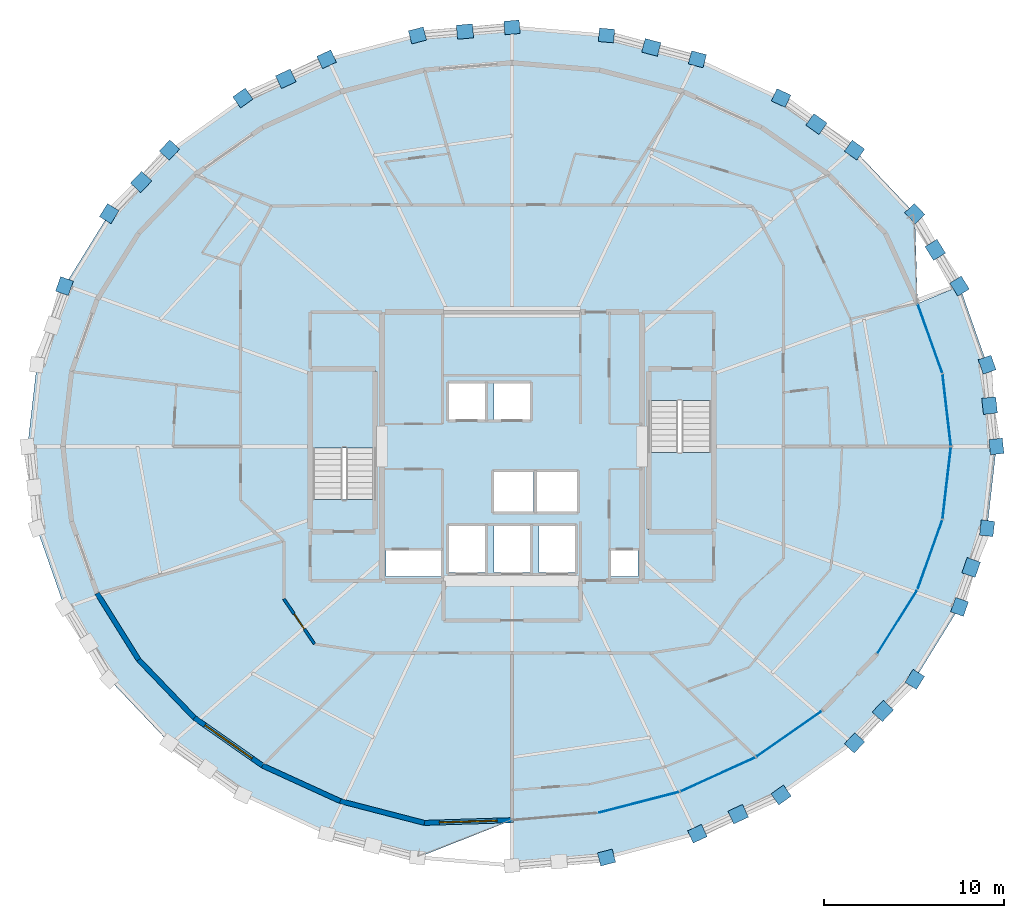
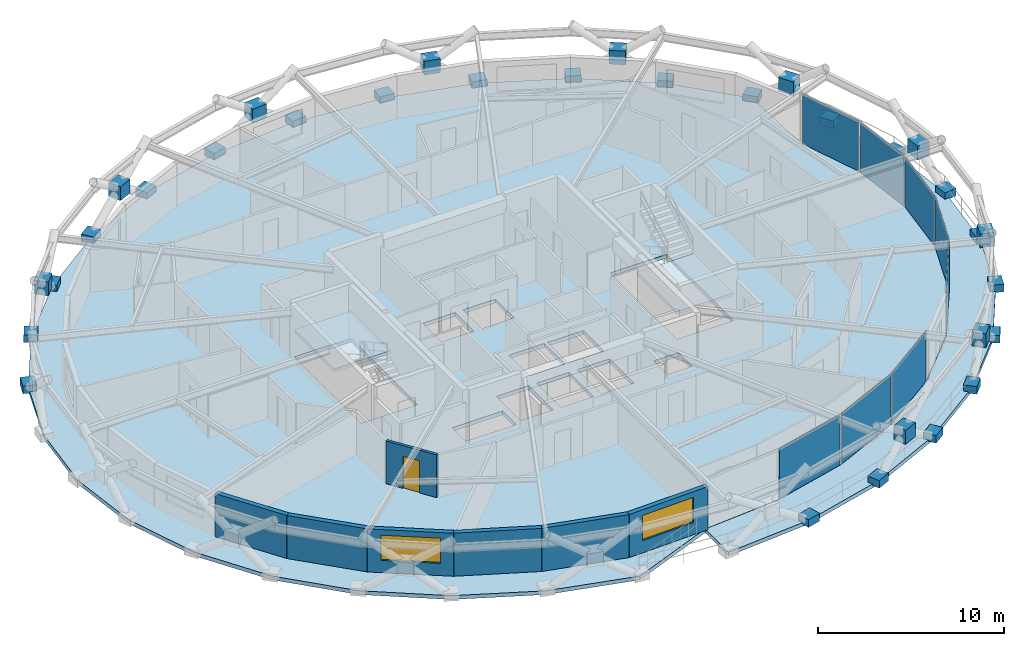
# One storey, part 11 of 16: 40 plates, 7 walls, 4 slabs, 2 windows, 1 door, 3 openings, 4 elements without a shape of their own.
"""IFC4 building model written with IfcOpenShell, lengths in metres."""

from ifc_helpers import new_model, si_unit, direction, frame, frame_2d, origin, origin_2d, place, context, subcontext, project, spatial, polyline, rectangle, outline, extrude, material, layer, layer_set, type_object, element, fill, aggregate, save


model = new_model("IFC4")

# Units and contexts
model_context = context("Model", 3, precision=1e-05, world=origin(), true_north=direction((0.0, 1.0)))
body_context = subcontext(model_context, "Body", "Model", "MODEL_VIEW")
ifc_project = project(units=[si_unit("LENGTHUNIT", "METRE"), si_unit("AREAUNIT", "SQUARE_METRE"), si_unit("VOLUMEUNIT", "CUBIC_METRE"), si_unit("PLANEANGLEUNIT", "RADIAN"), si_unit("MASSUNIT", "GRAM", prefix="KILO")], contexts=[model_context])

# Site, building, storey
site_placement = place(None, origin())
site = spatial("IfcSite", under=ifc_project, at=site_placement, CompositionType="ELEMENT")
building_placement = place(site_placement, origin())
building = spatial("IfcBuilding", under=site, at=building_placement, Name="Veldorina Hangang Commons", CompositionType="ELEMENT")
storey_placement = place(building_placement, frame((0.0, 0.0, 192.800048828125)))
storey = spatial("IfcBuildingStorey", under=building, at=storey_placement, Name="L50", CompositionType="ELEMENT", Elevation=192.800048828125)

# Curtain wall, plates
ifc_material_1 = material(Name="Glass Low-E Triple IGU", Category="glass")
ifc_layer_1 = layer(ifc_material_1, 0.179931640625)
ifc_layer_set_1 = layer_set([ifc_layer_1], Name="Glass Low-E Triple IGU")
curtain_wall_type = type_object("IfcCurtainWallType", Name="CW-SYS-Z2", PredefinedType="NOTDEFINED", material=ifc_layer_set_1)
curtain_wall_1_placement = place(storey_placement, origin())
curtain_wall_1 = element("IfcCurtainWall", 1, at=curtain_wall_1_placement, inside=storey, type_object=curtain_wall_type, Name="L50 unitised curtain wall CW-L50-R1", PredefinedType="NOTDEFINED")
ifc_layer_2 = layer(ifc_material_1, 0.0400390625)
ifc_layer_set_2 = layer_set([ifc_layer_2], Name="Glass Low-E Triple IGU")
plate_type_1 = type_object("IfcPlateType", Name="CW-PNL-VIS", PredefinedType="CURTAIN_PANEL", material=ifc_layer_set_2)
plate_1_placement = place(storey_placement, frame((39.031494140625, 4.268310546875, 0.01513671875), z_axis=(0.0, 0.0, 1.0), x_axis=(0.968239344412, 0.250025142601, 0.0)))
plate_1 = element("IfcPlate", 2, at=plate_1_placement, type_object=plate_type_1, Name="CW-L50-R1 facet 2 glazed vision panel", PredefinedType="CURTAIN_PANEL", context=body_context, shape_type="SweptSolid", body=[
    extrude(rectangle(XDim=4.535888671875, YDim=0.0400390625, at=origin_2d()), origin(), (0.0, 0.0, 1.0), 3.280029296875),
])
plate_2_placement = place(storey_placement, frame((43.41845703125, 5.815185546875, 0.01513671875), z_axis=(0.0, 0.0, 1.0), x_axis=(0.910214422768, 0.41413730161, 0.0)))
plate_2 = element("IfcPlate", 3, at=plate_2_placement, type_object=plate_type_1, Name="CW-L50-R1 facet 3 glazed vision panel", PredefinedType="CURTAIN_PANEL", context=body_context, shape_type="SweptSolid", body=[
    extrude(rectangle(XDim=4.443115234375, YDim=0.0400390625, at=origin_2d()), origin(), (0.0, 0.0, 1.0), 3.280029296875),
])
plate_3_placement = place(storey_placement, frame((47.36669921875, 8.060791015625, 0.01513671875), z_axis=(0.0, 0.0, 1.0), x_axis=(0.819762238564, 0.572704000532, 0.0)))
plate_3 = element("IfcPlate", 4, at=plate_3_placement, type_object=plate_type_1, Name="CW-L50-R1 facet 4 glazed vision panel", PredefinedType="CURTAIN_PANEL", context=body_context, shape_type="SweptSolid", body=[
    extrude(rectangle(XDim=4.3193359375, YDim=0.0400390625, at=origin_2d()), origin(), (0.0, 0.0, 1.0), 3.280029296875),
])
aggregate(curtain_wall_1, [plate_1, plate_2, plate_3])

curtain_wall_2_placement = place(storey_placement, origin())
curtain_wall_2 = element("IfcCurtainWall", 5, at=curtain_wall_2_placement, inside=storey, type_object=curtain_wall_type, Name="L50 unitised curtain wall CW-L50-R2", PredefinedType="NOTDEFINED")
plate_4_placement = place(storey_placement, frame((53.362548828125, 14.27978515625, 0.01513671875), z_axis=(0.0, 0.0, 1.0), x_axis=(0.531768155588, 0.846889974378, 0.0)))
plate_4 = element("IfcPlate", 6, at=plate_4_placement, type_object=plate_type_1, Name="CW-L50-R2 facet 1 glazed vision panel", PredefinedType="CURTAIN_PANEL", context=body_context, shape_type="SweptSolid", body=[
    extrude(rectangle(XDim=4.0498046875, YDim=0.0400390625, at=origin_2d()), origin(), (0.0, 0.0, 1.0), 3.280029296875),
])
plate_5_placement = place(storey_placement, frame((55.1796875, 18.014404296875, 0.01513671875), z_axis=(0.0, 0.0, 1.0), x_axis=(0.335681747794, 0.941975458384, 0.0)))
plate_5 = element("IfcPlate", 7, at=plate_5_placement, type_object=plate_type_1, Name="CW-L50-R2 facet 2 glazed vision panel", PredefinedType="CURTAIN_PANEL", context=body_context, shape_type="SweptSolid", body=[
    extrude(rectangle(XDim=3.9462890625, YDim=0.0400390625, at=origin_2d()), origin(), (0.0, 0.0, 1.0), 3.280029296875),
])
plate_6_placement = place(storey_placement, frame((56.106201171875, 21.97900390625, 0.01513671875), z_axis=(0.0, 0.0, 1.0), x_axis=(0.114937150493, 0.9933727656, 0.0)))
plate_6 = element("IfcPlate", 8, at=plate_6_placement, type_object=plate_type_1, Name="CW-L50-R2 facet 3 glazed vision panel", PredefinedType="CURTAIN_PANEL", context=body_context, shape_type="SweptSolid", body=[
    extrude(rectangle(XDim=3.88916015625, YDim=0.0400390625, at=origin_2d()), origin(), (0.0, 0.0, 1.0), 3.280029296875),
])
plate_7_placement = place(storey_placement, frame((56.106201171875, 26.02099609375, 0.01513671875), z_axis=(0.0, 0.0, 1.0), x_axis=(-0.114937150493, 0.9933727656, 0.0)))
plate_7 = element("IfcPlate", 9, at=plate_7_placement, type_object=plate_type_1, Name="CW-L50-R2 facet 4 glazed vision panel", PredefinedType="CURTAIN_PANEL", context=body_context, shape_type="SweptSolid", body=[
    extrude(rectangle(XDim=3.88916015625, YDim=0.0400390625, at=origin_2d()), origin(), (0.0, 0.0, 1.0), 3.280029296875),
])
plate_8_placement = place(storey_placement, frame((55.1796875, 29.985595703125, 0.01513671875), z_axis=(0.0, 0.0, 1.0), x_axis=(-0.335681747794, 0.941975458384, 0.0)))
plate_8 = element("IfcPlate", 10, at=plate_8_placement, type_object=plate_type_1, Name="CW-L50-R2 facet 5 glazed vision panel", PredefinedType="CURTAIN_PANEL", context=body_context, shape_type="SweptSolid", body=[
    extrude(rectangle(XDim=3.9462890625, YDim=0.0400390625, at=origin_2d()), origin(), (0.0, 0.0, 1.0), 3.280029296875),
])
aggregate(curtain_wall_2, [plate_4, plate_5, plate_6, plate_7, plate_8])

# Plates
ifc_material_2 = material(Name="Steel SM460-TMC", Category="steel")
ifc_layer_3 = layer(ifc_material_2, 0.035888671875)
ifc_layer_set_3 = layer_set([ifc_layer_3], Name="Steel SM460-TMC")
plate_type_2 = type_object("IfcPlateType", Name="PL-STAR-36", PredefinedType="USERDEFINED", material=ifc_layer_set_3)
plate_9_placement = place(storey_placement, frame((58.860107421875, 24.0, -0.090087890625), z_axis=(0.0, 0.0, 1.0), x_axis=(-0.113099166546, 0.993583704842, 0.0)))
element("IfcPlate", 11, at=plate_9_placement, inside=storey, type_object=plate_type_2, Name="L50 diagrid star-node gusset plate 00", ObjectType="GUSSET PLATE", PredefinedType="USERDEFINED", context=body_context, shape_type="SweptSolid", body=[
    extrude(rectangle(XDim=0.85009765625, YDim=0.75, at=origin_2d()), origin(), (0.0, 0.0, 1.0), 0.5),
])
plate_10_placement = place(storey_placement, frame((58.480224609375, 26.266357421875, 1.3505859375), z_axis=(0.0, 0.0, 1.0), x_axis=(-0.113099166546, 0.993583704842, 0.0)))
element("IfcPlate", 12, at=plate_10_placement, inside=storey, type_object=plate_type_2, Name="L50 diagrid X-crossing star-node gusset plate 00", ObjectType="GUSSET PLATE", PredefinedType="USERDEFINED", context=body_context, shape_type="SweptSolid", body=[
    extrude(rectangle(XDim=0.89990234375, YDim=0.780029296875, at=origin_2d()), origin(), (0.0, 0.0, 1.0), 0.89990234375),
])
for number, where, z_axis, x_axis, name in (
    (13, (58.343994140625, 28.53369140625, -0.090087890625), (0.0, 0.0, 1.0), (-0.330860291621, 0.943679748341, 0.0), "L50 diagrid star-node gusset plate 01"),
    (14, (56.8154296875, 32.893310546875, -0.090087890625), (0.0, 0.0, 1.0), (-0.525575593337, 0.850746904601, 0.0), "L50 diagrid star-node gusset plate 02"),
):
    element("IfcPlate", number, at=place(storey_placement, frame(where, z_axis=z_axis, x_axis=x_axis)), inside=storey, type_object=plate_type_2, Name=name, ObjectType="GUSSET PLATE", PredefinedType="USERDEFINED", context=body_context, shape_type="SweptSolid", body=[
        extrude(rectangle(XDim=0.85009765625, YDim=0.75, at=origin_2d()), origin(), (0.0, 0.0, 1.0), 0.5),
    ])
plate_11_placement = place(storey_placement, frame((55.46923828125, 34.90185546875, 1.3525390625), z_axis=(0.0, 0.0, 1.0), x_axis=(-0.525575593337, 0.850746904601, 0.0)))
element("IfcPlate", 15, at=plate_11_placement, inside=storey, type_object=plate_type_2, Name="L50 diagrid X-crossing star-node gusset plate 02", ObjectType="GUSSET PLATE", PredefinedType="USERDEFINED", context=body_context, shape_type="SweptSolid", body=[
    extrude(rectangle(XDim=0.89990234375, YDim=0.780029296875, at=origin_2d()), origin(), (0.0, 0.0, 1.0), 0.89990234375),
])
for number, where, z_axis, x_axis, name in (
    (16, (54.333251953125, 36.9111328125, -0.090087890625), (0.0, 0.0, 1.0), (-0.688189975753, 0.725530535039, 0.0), "L50 diagrid star-node gusset plate 03"),
    (17, (50.992919921875, 40.4326171875, -0.090087890625), (0.0, 0.0, 1.0), (-0.815360268413, 0.578953912409, 0.0), "L50 diagrid star-node gusset plate 04"),
):
    element("IfcPlate", number, at=place(storey_placement, frame(where, z_axis=z_axis, x_axis=x_axis)), inside=storey, type_object=plate_type_2, Name=name, ObjectType="GUSSET PLATE", PredefinedType="USERDEFINED", context=body_context, shape_type="SweptSolid", body=[
        extrude(rectangle(XDim=0.85009765625, YDim=0.75, at=origin_2d()), origin(), (0.0, 0.0, 1.0), 0.5),
    ])
plate_12_placement = place(storey_placement, frame((48.882080078125, 41.877197265625, 1.355712890625), z_axis=(0.0, 0.0, 1.0), x_axis=(-0.815360268413, 0.578953912409, 0.0)))
element("IfcPlate", 18, at=plate_12_placement, inside=storey, type_object=plate_type_2, Name="L50 diagrid X-crossing star-node gusset plate 04", ObjectType="GUSSET PLATE", PredefinedType="USERDEFINED", context=body_context, shape_type="SweptSolid", body=[
    extrude(rectangle(XDim=0.89990234375, YDim=0.780029296875, at=origin_2d()), origin(), (0.0, 0.0, 1.0), 0.89990234375),
])
for number, where, z_axis, x_axis, name in (
    (19, (46.922607421875, 43.322998046875, -0.090087890625), (0.0, 0.0, 1.0), (-0.90764565898, 0.419737248448, 0.0), "L50 diagrid star-node gusset plate 05"),
    (20, (42.27880859375, 45.470458984375, -0.090087890625), (0.0, 0.0, 1.0), (-0.967241174002, 0.253859235235, 0.0), "L50 diagrid star-node gusset plate 06"),
):
    element("IfcPlate", number, at=place(storey_placement, frame(where, z_axis=z_axis, x_axis=x_axis)), inside=storey, type_object=plate_type_2, Name=name, ObjectType="GUSSET PLATE", PredefinedType="USERDEFINED", context=body_context, shape_type="SweptSolid", body=[
        extrude(rectangle(XDim=0.85009765625, YDim=0.75, at=origin_2d()), origin(), (0.0, 0.0, 1.0), 0.5),
    ])
plate_13_placement = place(storey_placement, frame((39.72412109375, 46.128662109375, 1.35791015625), z_axis=(0.0, 0.0, 1.0), x_axis=(-0.967241174002, 0.253859235235, 0.0)))
element("IfcPlate", 21, at=plate_13_placement, inside=storey, type_object=plate_type_2, Name="L50 diagrid X-crossing star-node gusset plate 06", ObjectType="GUSSET PLATE", PredefinedType="USERDEFINED", context=body_context, shape_type="SweptSolid", body=[
    extrude(rectangle(XDim=0.89990234375, YDim=0.780029296875, at=origin_2d()), origin(), (0.0, 0.0, 1.0), 0.89990234375),
])
for number, where, z_axis, x_axis, name in (
    (22, (37.239990234375, 46.79296875, -0.090087890625), (0.0, 0.0, 1.0), (-0.996389883808, 0.084895226275, 0.0), "L50 diagrid star-node gusset plate 07"),
    (23, (32.0, 47.239501953125, -0.090087890625), (0.0, 0.0, 1.0), (-0.996389883808, -0.084895226275, 0.0), "L50 diagrid star-node gusset plate 08"),
):
    element("IfcPlate", number, at=place(storey_placement, frame(where, z_axis=z_axis, x_axis=x_axis)), inside=storey, type_object=plate_type_2, Name=name, ObjectType="GUSSET PLATE", PredefinedType="USERDEFINED", context=body_context, shape_type="SweptSolid", body=[
        extrude(rectangle(XDim=0.85009765625, YDim=0.75, at=origin_2d()), origin(), (0.0, 0.0, 1.0), 0.5),
    ])
plate_14_placement = place(storey_placement, frame((29.39208984375, 47.009033203125, 1.3583984375), z_axis=(0.0, 0.0, 1.0), x_axis=(-0.996389883808, -0.084895226275, 0.0)))
element("IfcPlate", 24, at=plate_14_placement, inside=storey, type_object=plate_type_2, Name="L50 diagrid X-crossing star-node gusset plate 08", ObjectType="GUSSET PLATE", PredefinedType="USERDEFINED", context=body_context, shape_type="SweptSolid", body=[
    extrude(rectangle(XDim=0.89990234375, YDim=0.780029296875, at=origin_2d()), origin(), (0.0, 0.0, 1.0), 0.89990234375),
])
for number, where, z_axis, x_axis, name in (
    (25, (26.760009765625, 46.79296875, -0.090087890625), (0.0, 0.0, 1.0), (-0.967241174002, -0.253859235235, 0.0), "L50 diagrid star-node gusset plate 09"),
    (26, (21.72119140625, 45.470458984375, -0.090087890625), (0.0, 0.0, 1.0), (-0.90764565898, -0.419737248448, 0.0), "L50 diagrid star-node gusset plate 10"),
):
    element("IfcPlate", number, at=place(storey_placement, frame(where, z_axis=z_axis, x_axis=x_axis)), inside=storey, type_object=plate_type_2, Name=name, ObjectType="GUSSET PLATE", PredefinedType="USERDEFINED", context=body_context, shape_type="SweptSolid", body=[
        extrude(rectangle(XDim=0.85009765625, YDim=0.75, at=origin_2d()), origin(), (0.0, 0.0, 1.0), 0.5),
    ])
plate_15_placement = place(storey_placement, frame((19.45947265625, 44.387451171875, 1.35693359375), z_axis=(0.0, 0.0, 1.0), x_axis=(-0.90764565898, -0.419737248448, 0.0)))
element("IfcPlate", 27, at=plate_15_placement, inside=storey, type_object=plate_type_2, Name="L50 diagrid X-crossing star-node gusset plate 10", ObjectType="GUSSET PLATE", PredefinedType="USERDEFINED", context=body_context, shape_type="SweptSolid", body=[
    extrude(rectangle(XDim=0.89990234375, YDim=0.780029296875, at=origin_2d()), origin(), (0.0, 0.0, 1.0), 0.89990234375),
])
for number, where, z_axis, x_axis, name in (
    (28, (17.077392578125, 43.322998046875, -0.090087890625), (0.0, 0.0, 1.0), (-0.815360268413, -0.578953912409, 0.0), "L50 diagrid star-node gusset plate 11"),
    (29, (13.007080078125, 40.4326171875, -0.090087890625), (0.0, 0.0, 1.0), (-0.688189975753, -0.725530535039, 0.0), "L50 diagrid star-node gusset plate 12"),
):
    element("IfcPlate", number, at=place(storey_placement, frame(where, z_axis=z_axis, x_axis=x_axis)), inside=storey, type_object=plate_type_2, Name=name, ObjectType="GUSSET PLATE", PredefinedType="USERDEFINED", context=body_context, shape_type="SweptSolid", body=[
        extrude(rectangle(XDim=0.85009765625, YDim=0.75, at=origin_2d()), origin(), (0.0, 0.0, 1.0), 0.5),
    ])
plate_16_placement = place(storey_placement, frame((11.436279296875, 38.664306640625, 1.354248046875), z_axis=(0.0, 0.0, 1.0), x_axis=(-0.688189975753, -0.725530535039, 0.0)))
element("IfcPlate", 30, at=plate_16_placement, inside=storey, type_object=plate_type_2, Name="L50 diagrid X-crossing star-node gusset plate 12", ObjectType="GUSSET PLATE", PredefinedType="USERDEFINED", context=body_context, shape_type="SweptSolid", body=[
    extrude(rectangle(XDim=0.89990234375, YDim=0.780029296875, at=origin_2d()), origin(), (0.0, 0.0, 1.0), 0.89990234375),
])
for number, where, z_axis, x_axis, name in (
    (31, (9.666748046875, 36.9111328125, -0.090087890625), (0.0, 0.0, 1.0), (-0.525575593337, -0.850746904601, 0.0), "L50 diagrid star-node gusset plate 13"),
    (32, (7.1845703125, 32.893310546875, -0.090087890625), (0.0, 0.0, 1.0), (-0.330860291621, -0.943679748341, 0.0), "L50 diagrid star-node gusset plate 14"),
    (33, (37.239990234375, 1.20703125, -0.090087890625), (0.0, 0.0, 1.0), (0.967241174002, 0.253859235235, 0.0), "L50 diagrid star-node gusset plate 25"),
    (34, (42.27880859375, 2.529541015625, -0.090087890625), (0.0, 0.0, 1.0), (0.90764565898, 0.419737248448, 0.0), "L50 diagrid star-node gusset plate 26"),
):
    element("IfcPlate", number, at=place(storey_placement, frame(where, z_axis=z_axis, x_axis=x_axis)), inside=storey, type_object=plate_type_2, Name=name, ObjectType="GUSSET PLATE", PredefinedType="USERDEFINED", context=body_context, shape_type="SweptSolid", body=[
        extrude(rectangle(XDim=0.85009765625, YDim=0.75, at=origin_2d()), origin(), (0.0, 0.0, 1.0), 0.5),
    ])
plate_17_placement = place(storey_placement, frame((44.54052734375, 3.612548828125, 1.35693359375), z_axis=(0.0, 0.0, 1.0), x_axis=(0.90764565898, 0.419737248448, 0.0)))
element("IfcPlate", 35, at=plate_17_placement, inside=storey, type_object=plate_type_2, Name="L50 diagrid X-crossing star-node gusset plate 26", ObjectType="GUSSET PLATE", PredefinedType="USERDEFINED", context=body_context, shape_type="SweptSolid", body=[
    extrude(rectangle(XDim=0.89990234375, YDim=0.780029296875, at=origin_2d()), origin(), (0.0, 0.0, 1.0), 0.89990234375),
])
for number, where, z_axis, x_axis, name in (
    (36, (46.922607421875, 4.677001953125, -0.090087890625), (0.0, 0.0, 1.0), (0.815360268413, 0.578953912409, 0.0), "L50 diagrid star-node gusset plate 27"),
    (37, (50.992919921875, 7.5673828125, -0.090087890625), (0.0, 0.0, 1.0), (0.688189975753, 0.725530535039, 0.0), "L50 diagrid star-node gusset plate 28"),
):
    element("IfcPlate", number, at=place(storey_placement, frame(where, z_axis=z_axis, x_axis=x_axis)), inside=storey, type_object=plate_type_2, Name=name, ObjectType="GUSSET PLATE", PredefinedType="USERDEFINED", context=body_context, shape_type="SweptSolid", body=[
        extrude(rectangle(XDim=0.85009765625, YDim=0.75, at=origin_2d()), origin(), (0.0, 0.0, 1.0), 0.5),
    ])
plate_18_placement = place(storey_placement, frame((52.563720703125, 9.335693359375, 1.354248046875), z_axis=(0.0, 0.0, 1.0), x_axis=(0.688189975753, 0.725530535039, 0.0)))
element("IfcPlate", 38, at=plate_18_placement, inside=storey, type_object=plate_type_2, Name="L50 diagrid X-crossing star-node gusset plate 28", ObjectType="GUSSET PLATE", PredefinedType="USERDEFINED", context=body_context, shape_type="SweptSolid", body=[
    extrude(rectangle(XDim=0.89990234375, YDim=0.780029296875, at=origin_2d()), origin(), (0.0, 0.0, 1.0), 0.89990234375),
])
for number, where, z_axis, x_axis, name in (
    (39, (54.333251953125, 11.0888671875, -0.090087890625), (0.0, 0.0, 1.0), (0.525575593337, 0.850746904601, 0.0), "L50 diagrid star-node gusset plate 29"),
    (40, (56.8154296875, 15.106689453125, -0.090087890625), (0.0, 0.0, 1.0), (0.330860291621, 0.943679748341, 0.0), "L50 diagrid star-node gusset plate 30"),
):
    element("IfcPlate", number, at=place(storey_placement, frame(where, z_axis=z_axis, x_axis=x_axis)), inside=storey, type_object=plate_type_2, Name=name, ObjectType="GUSSET PLATE", PredefinedType="USERDEFINED", context=body_context, shape_type="SweptSolid", body=[
        extrude(rectangle(XDim=0.85009765625, YDim=0.75, at=origin_2d()), origin(), (0.0, 0.0, 1.0), 0.5),
    ])
plate_19_placement = place(storey_placement, frame((57.45849609375, 17.289306640625, 1.351318359375), z_axis=(0.0, 0.0, 1.0), x_axis=(0.330860291621, 0.943679748341, 0.0)))
element("IfcPlate", 41, at=plate_19_placement, inside=storey, type_object=plate_type_2, Name="L50 diagrid X-crossing star-node gusset plate 30", ObjectType="GUSSET PLATE", PredefinedType="USERDEFINED", context=body_context, shape_type="SweptSolid", body=[
    extrude(rectangle(XDim=0.89990234375, YDim=0.780029296875, at=origin_2d()), origin(), (0.0, 0.0, 1.0), 0.89990234375),
])
plate_20_placement = place(storey_placement, frame((58.343994140625, 19.46630859375, -0.090087890625), z_axis=(0.0, 0.0, 1.0), x_axis=(0.113099166546, 0.993583704842, 0.0)))
element("IfcPlate", 42, at=plate_20_placement, inside=storey, type_object=plate_type_2, Name="L50 diagrid star-node gusset plate 31", ObjectType="GUSSET PLATE", PredefinedType="USERDEFINED", context=body_context, shape_type="SweptSolid", body=[
    extrude(rectangle(XDim=0.85009765625, YDim=0.75, at=origin_2d()), origin(), (0.0, 0.0, 1.0), 0.5),
])

# Slabs
ifc_material_3 = material(Name="Concrete C40/50", Category="concrete")
ifc_layer_4 = layer(ifc_material_3, 0.25)
ifc_layer_set_4 = layer_set([ifc_layer_4], Name="Concrete C40/50")
slab_type_1 = type_object("IfcSlabType", Name="SL-FLR-250", PredefinedType="FLOOR", material=ifc_layer_set_4)
slab_1_placement = place(storey_placement, frame((0.0, 0.0, -0.25)))
element("IfcSlab", 43, at=slab_1_placement, inside=storey, type_object=slab_type_1, Name="L50 tower structural floor slab", PredefinedType="FLOOR", context=body_context, shape_type="SweptSolid", body=[
    extrude(outline(polyline([(56.340087890625, 24.0), (55.872314453125, 28.042236328125), (54.4873046875, 31.928955078125), (54.333251953125, 36.9111328125), (50.992919921875, 40.4326171875), (46.922607421875, 43.322998046875), (42.27880859375, 45.470458984375), (37.239990234375, 46.79296875), (32.0, 47.239501953125), (26.760009765625, 46.79296875), (21.72119140625, 45.470458984375), (17.077392578125, 43.322998046875), (13.007080078125, 40.4326171875), (9.666748046875, 36.9111328125), (7.1845703125, 32.893310546875), (5.656005859375, 28.53369140625), (5.139892578125, 24.0), (5.656005859375, 19.46630859375), (7.1845703125, 15.106689453125), (9.666748046875, 11.0888671875), (13.007080078125, 7.5673828125), (17.077392578125, 4.677001953125), (21.72119140625, 2.529541015625), (26.760009765625, 1.20703125), (32.0, 3.280517578125), (36.74853515625, 3.6787109375), (41.314453125, 4.85791015625), (45.522705078125, 6.7724609375), (49.2109375, 9.34912109375), (52.238037109375, 12.489013671875), (54.4873046875, 16.071044921875), (55.872314453125, 19.957763671875), (56.340087890625, 24.0)]), holes=[polyline([(20.949951171875, 21.05810546875), (20.949951171875, 28.199951171875), (24.449951171875, 28.199951171875), (24.449951171875, 21.05810546875), (20.949951171875, 21.05810546875)]), polyline([(43.050048828125, 26.5419921875), (43.050048828125, 19.39990234375), (39.550048828125, 19.39990234375), (39.550048828125, 26.5419921875), (43.050048828125, 26.5419921875)]), polyline([(28.5, 27.5), (30.5, 27.5), (30.5, 25.5), (28.5, 25.5), (28.5, 27.5)]), polyline([(31.0, 27.5), (33.0, 27.5), (33.0, 25.5), (31.0, 25.5), (31.0, 27.5)]), polyline([(31.0, 22.60009765625), (33.199951171875, 22.60009765625), (33.199951171875, 20.39990234375), (31.0, 20.39990234375), (31.0, 22.60009765625)]), polyline([(33.39990234375, 22.60009765625), (35.60009765625, 22.60009765625), (35.60009765625, 20.39990234375), (33.39990234375, 20.39990234375), (33.39990234375, 22.60009765625)]), polyline([(28.5, 19.60009765625), (30.5, 19.60009765625), (30.5, 17.0), (28.5, 17.0), (28.5, 19.60009765625)]), polyline([(31.0, 19.60009765625), (33.0, 19.60009765625), (33.0, 17.0), (31.0, 17.0), (31.0, 19.60009765625)]), polyline([(33.5, 19.60009765625), (35.5, 19.60009765625), (35.5, 17.0), (33.5, 17.0), (33.5, 19.60009765625)]), polyline([(25.0, 18.25), (28.10009765625, 18.25), (28.10009765625, 16.800048828125), (25.0, 16.800048828125), (25.0, 18.25)]), polyline([(37.449951171875, 18.25), (39.0, 18.25), (39.0, 16.800048828125), (37.449951171875, 16.800048828125), (37.449951171875, 18.25)])]), origin(), (0.0, 0.0, 1.0), 0.25),
])
slab_2_placement = place(storey_placement, frame((0.0, 0.0, -0.25)))
element("IfcSlab", 44, at=slab_2_placement, inside=storey, type_object=slab_type_1, Name="L50 sky-garden loggia outdoor slab", PredefinedType="FLOOR", context=body_context, shape_type="SweptSolid", body=[
    extrude(outline(polyline([(56.8154296875, 32.893310546875), (58.343994140625, 28.53369140625), (58.860107421875, 24.0), (58.343994140625, 19.46630859375), (56.8154296875, 15.106689453125), (54.333251953125, 11.0888671875), (50.992919921875, 7.5673828125), (46.922607421875, 4.677001953125), (42.27880859375, 2.529541015625), (37.239990234375, 1.20703125), (32.0, 0.760498046875), (32.0, 3.264404296875), (32.00341796875, 3.265869140625), (36.749755859375, 3.663818359375), (36.7509765625, 3.663818359375), (36.752197265625, 3.664306640625), (41.318359375, 4.84326171875), (41.319580078125, 4.84375), (41.32080078125, 4.843994140625), (45.52880859375, 6.7587890625), (45.530029296875, 6.759521484375), (45.53125, 6.760009765625), (49.219482421875, 9.3369140625), (49.220703125, 9.337890625), (49.2216796875, 9.3388671875), (52.248779296875, 12.478515625), (52.249755859375, 12.479736328125), (52.250732421875, 12.48095703125), (54.5, 16.06298828125), (54.500732421875, 16.064453125), (54.501220703125, 16.06591796875), (55.886474609375, 19.952880859375), (55.886962890625, 19.954345703125), (55.88720703125, 19.9560546875), (56.35498046875, 23.998291015625), (56.35498046875, 24.0), (56.35498046875, 24.001708984375), (55.88720703125, 28.0439453125), (55.886962890625, 28.045654296875), (55.886474609375, 28.047119140625), (54.502197265625, 31.931884765625), (54.501953125, 31.93505859375), (56.8154296875, 32.893310546875)])), origin(), (0.0, 0.0, 1.0), 0.25),
])

# Stair, slab
stair_type = type_object("IfcStairType", Name="STR-DOG-1650-20R", PredefinedType="HALF_TURN_STAIR", material=ifc_material_3)
stair_1_placement = place(storey_placement, origin())
stair_1 = element("IfcStair", 45, at=stair_1_placement, inside=storey, type_object=stair_type, Name="L50 Exit stair ST-1", PredefinedType="HALF_TURN_STAIR")
ifc_layer_5 = layer(ifc_material_3, 0.199951171875)
ifc_layer_set_5 = layer_set([ifc_layer_5], Name="Concrete C40/50")
slab_type_2 = type_object("IfcSlabType", Name="SL-LND-200", PredefinedType="LANDING", material=ifc_layer_set_5)
slab_3_placement = place(storey_placement, frame((0.0, 0.0, 1.599853515625)))
slab_3 = element("IfcSlab", 46, at=slab_3_placement, type_object=slab_type_2, Name="ST-1 landing 1", PredefinedType="LANDING", context=body_context, shape_type="SweptSolid", body=[
    extrude(outline(polyline([(24.449951171875, 23.929931640625), (24.449951171875, 28.199951171875), (20.949951171875, 28.199951171875), (20.949951171875, 23.929931640625), (24.449951171875, 23.929931640625)])), origin(), (0.0, 0.0, 1.0), 0.2001953125),
])
aggregate(stair_1, [slab_3])

stair_2_placement = place(storey_placement, origin())
stair_2 = element("IfcStair", 47, at=stair_2_placement, inside=storey, type_object=stair_type, Name="L50 Exit stair ST-2", PredefinedType="HALF_TURN_STAIR")
slab_4_placement = place(storey_placement, frame((0.0, 0.0, 1.599853515625)))
slab_4 = element("IfcSlab", 48, at=slab_4_placement, type_object=slab_type_2, Name="ST-2 landing 1", PredefinedType="LANDING", context=body_context, shape_type="SweptSolid", body=[
    extrude(outline(polyline([(39.550048828125, 23.669921875), (39.550048828125, 19.39990234375), (43.050048828125, 19.39990234375), (43.050048828125, 23.669921875), (39.550048828125, 23.669921875)])), origin(), (0.0, 0.0, 1.0), 0.2001953125),
])
aggregate(stair_2, [slab_4])

# Walls
ifc_material_4 = material(Name="Stone Roman Travertine", Category="masonry")
ifc_layer_6 = layer(ifc_material_4, 0.280029296875)
ifc_layer_set_6 = layer_set([ifc_layer_6], Name="Stone Roman Travertine")
wall_type_1 = type_object("IfcWallType", Name="EW-TRAV-280", PredefinedType="STANDARD", material=ifc_layer_set_6)
wall_1_placement = place(storey_placement, frame((8.995361328125, 15.856689453125, 0.0), z_axis=(0.0, 0.0, 1.0), x_axis=(0.530277064752, -0.847824412599, 0.0)))
element("IfcWall", 49, at=wall_1_placement, inside=storey, type_object=wall_type_1, Name="L50 travertine facade wall 18", PredefinedType="STANDARD", context=body_context, shape_type="SweptSolid", body=[
    extrude(rectangle(XDim=4.33935546875, YDim=0.280029296875, at=frame_2d((2.169677734375, 0.0))), origin(), (0.0, 0.0, 1.0), 2.820068359375),
])
wall_2_placement = place(storey_placement, frame((11.29638671875, 12.177734375, 0.0), z_axis=(0.0, 0.0, 1.0), x_axis=(0.692654585046, -0.721269454375, 0.0)))
element("IfcWall", 50, at=wall_2_placement, inside=storey, type_object=wall_type_1, Name="L50 travertine facade wall 19", PredefinedType="STANDARD", context=body_context, shape_type="SweptSolid", body=[
    extrude(rectangle(XDim=4.470703125, YDim=0.280029296875, at=frame_2d((2.2353515625, 0.0))), origin(), (0.0, 0.0, 1.0), 2.820068359375),
])

# Wall, opening, window
wall_3_placement = place(storey_placement, frame((14.39306640625, 8.953125, 0.0), z_axis=(0.0, 0.0, 1.0), x_axis=(0.818721405334, -0.574190961657, 0.0)))
wall_3 = element("IfcWall", 51, at=wall_3_placement, inside=storey, type_object=wall_type_1, Name="L50 travertine facade wall 20", PredefinedType="STANDARD", context=body_context, shape_type="SweptSolid", body=[
    extrude(rectangle(XDim=4.608642578125, YDim=0.280029296875, at=frame_2d((2.30419921875, 0.0))), origin(), (0.0, 0.0, 1.0), 2.820068359375),
])
opening_1_placement = place(wall_3_placement, frame((0.704345703125, 0.0, 0.800048828125)))
opening_1 = element("IfcOpeningElement", 52, at=opening_1_placement, cuts=wall_3, Name="Opening W-01", PredefinedType="OPENING", context=body_context, shape_type="SweptSolid", body=[
    extrude(rectangle(XDim=3.199951171875, YDim=1.64990234375, at=frame_2d((1.60009765625, 0.824951171875))), frame((0.0, 0.14990234375, 0.0), z_axis=(0.0, -1.0, 0.0), x_axis=(1.0, 0.0, 0.0)), (0.0, 0.0, 1.0), 0.300048828125),
])
window_type = type_object("IfcWindowType", Name="WIN-TWR-3200", PartitioningType="SINGLE_PANEL", PredefinedType="WINDOW", material=ifc_material_1)
window_1_placement = place(opening_1_placement, origin())
window_1 = element("IfcWindow", 53, at=window_1_placement, inside=storey, type_object=window_type, Name="L50 facade window 20", OverallHeight=1.64990234375, OverallWidth=3.199951171875, PartitioningType="SINGLE_PANEL", PredefinedType="WINDOW", context=body_context, shape_type="SweptSolid", body=[
    extrude(rectangle(XDim=3.199951171875, YDim=1.64990234375, at=frame_2d((1.60009765625, 0.824951171875))), frame((0.0, 0.030029296875, 0.0), z_axis=(0.0, -1.0, 0.0), x_axis=(1.0, 0.0, 0.0)), (0.0, 0.0, 1.0), 0.06005859375),
])
fill(opening_1, window_1)

# Walls
wall_4_placement = place(storey_placement, frame((18.166259765625, 6.306884765625, 0.0), z_axis=(0.0, 0.0, 1.0), x_axis=(0.909587572303, -0.415512272155, 0.0)))
element("IfcWall", 54, at=wall_4_placement, inside=storey, type_object=wall_type_1, Name="L50 travertine facade wall 21", PredefinedType="STANDARD", context=body_context, shape_type="SweptSolid", body=[
    extrude(rectangle(XDim=4.73291015625, YDim=0.280029296875, at=frame_2d((2.366455078125, 0.0))), origin(), (0.0, 0.0, 1.0), 2.820068359375),
])
wall_5_placement = place(storey_placement, frame((22.47119140625, 4.34033203125, 0.0), z_axis=(0.0, 0.0, 1.0), x_axis=(0.968001905281, -0.250942844833, 0.0)))
element("IfcWall", 55, at=wall_5_placement, inside=storey, type_object=wall_type_1, Name="L50 travertine facade wall 22", PredefinedType="STANDARD", context=body_context, shape_type="SweptSolid", body=[
    extrude(rectangle(XDim=4.825439453125, YDim=0.280029296875, at=frame_2d((2.41259765625, 0.0))), origin(), (0.0, 0.0, 1.0), 2.820068359375),
])

# Wall, opening, window
wall_6_placement = place(storey_placement, frame((27.142333984375, 3.12939453125, 0.0), z_axis=(0.0, 0.0, 1.0), x_axis=(0.99951601215, 0.031108543142, 0.0)))
wall_6 = element("IfcWall", 56, at=wall_6_placement, inside=storey, type_object=wall_type_1, Name="L50 travertine facade wall 23", PredefinedType="STANDARD", context=body_context, shape_type="SweptSolid", body=[
    extrude(rectangle(XDim=4.9521484375, YDim=0.280029296875, at=frame_2d((2.47607421875, 0.0))), origin(), (0.0, 0.0, 1.0), 2.820068359375),
])
opening_2_placement = place(wall_6_placement, frame((0.830078125, 0.0, 0.800048828125)))
opening_2 = element("IfcOpeningElement", 57, at=opening_2_placement, cuts=wall_6, Name="Opening W-01", PredefinedType="OPENING", context=body_context, shape_type="SweptSolid", body=[
    extrude(rectangle(XDim=3.199951171875, YDim=1.64990234375, at=frame_2d((1.60009765625, 0.824951171875))), frame((0.0, 0.14990234375, 0.0), z_axis=(0.0, -1.0, 0.0), x_axis=(1.0, 0.0, 0.0)), (0.0, 0.0, 1.0), 0.300048828125),
])
window_2_placement = place(opening_2_placement, origin())
window_2 = element("IfcWindow", 58, at=window_2_placement, inside=storey, type_object=window_type, Name="L50 facade window 23", OverallHeight=1.64990234375, OverallWidth=3.199951171875, PartitioningType="SINGLE_PANEL", PredefinedType="WINDOW", context=body_context, shape_type="SweptSolid", body=[
    extrude(rectangle(XDim=3.199951171875, YDim=1.64990234375, at=frame_2d((1.60009765625, 0.824951171875))), frame((0.0, 0.030029296875, 0.0), z_axis=(0.0, -1.0, 0.0), x_axis=(1.0, 0.0, 0.0)), (0.0, 0.0, 1.0), 0.06005859375),
])
fill(opening_2, window_2)

# Wall, opening, door
ifc_material_5 = material(Name="Gypsum Fire-Rated Twin Stud Wall", Category="gypsum")
ifc_layer_7 = layer(ifc_material_5, 0.159912109375)
ifc_layer_set_7 = layer_set([ifc_layer_7], Name="Gypsum Fire-Rated Twin Stud Wall")
wall_type_2 = type_object("IfcWallType", Name="WL-FIRE-160", PredefinedType="SOLIDWALL", material=ifc_layer_set_7)
wall_7_placement = place(storey_placement, frame((19.35009765625, 15.547607421875, 0.0), z_axis=(0.0, 0.0, 1.0), x_axis=(0.562674669208, -0.826678423955, 0.0)))
wall_7 = element("IfcWall", 59, at=wall_7_placement, inside=storey, type_object=wall_type_2, Name="L50 U-corridor outer wall 19 063", PredefinedType="SOLIDWALL", context=body_context, shape_type="SweptSolid", body=[
    extrude(rectangle(XDim=3.021240234375, YDim=0.159912109375, at=frame_2d((1.5107421875, 0.0))), origin(), (0.0, 0.0, 1.0), 2.800048828125),
])
opening_3_placement = place(wall_7_placement, frame((1.010498046875, 0.0, 0.0)))
opening_3 = element("IfcOpeningElement", 60, at=opening_3_placement, cuts=wall_7, Name="Opening D-05", PredefinedType="OPENING", context=body_context, shape_type="SweptSolid", body=[
    extrude(rectangle(XDim=1.0, YDim=2.10009765625, at=frame_2d((0.5, 1.050048828125))), frame((0.0, 0.08984375, 0.0), z_axis=(0.0, -1.0, 0.0), x_axis=(1.0, 0.0, 0.0)), (0.0, 0.0, 1.0), 0.179931640625),
])
ifc_material_6 = material(Name="Timber Solid Core Acoustic", Category="wood")
door_type = type_object("IfcDoorType", Name="DR-INT-1000", OperationType="SINGLE_SWING_RIGHT", PredefinedType="DOOR", material=ifc_material_6)
door_placement = place(opening_3_placement, origin())
door = element("IfcDoor", 61, at=door_placement, inside=storey, type_object=door_type, Name="L50 Floor Study Room 7 door 033", OperationType="SINGLE_SWING_LEFT", OverallHeight=2.10009765625, OverallWidth=1.0, PredefinedType="DOOR", context=body_context, shape_type="SweptSolid", body=[
    extrude(rectangle(XDim=1.0, YDim=2.10009765625, at=frame_2d((0.5, 1.050048828125))), frame((0.0, 0.02490234375, 0.0), z_axis=(0.0, -1.0, 0.0), x_axis=(1.0, 0.0, 0.0)), (0.0, 0.0, 1.0), 0.050048828125),
])
fill(opening_3, door)

save(model, "model.ifc")
